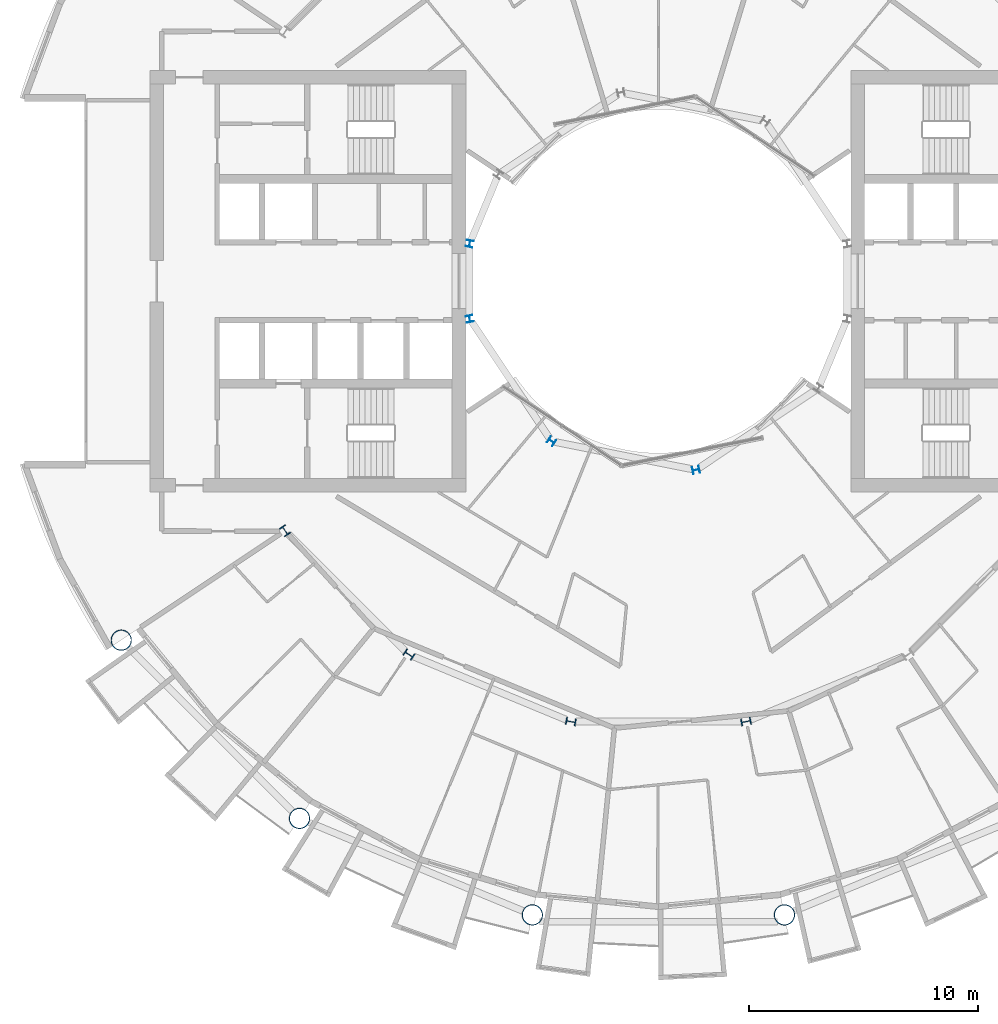
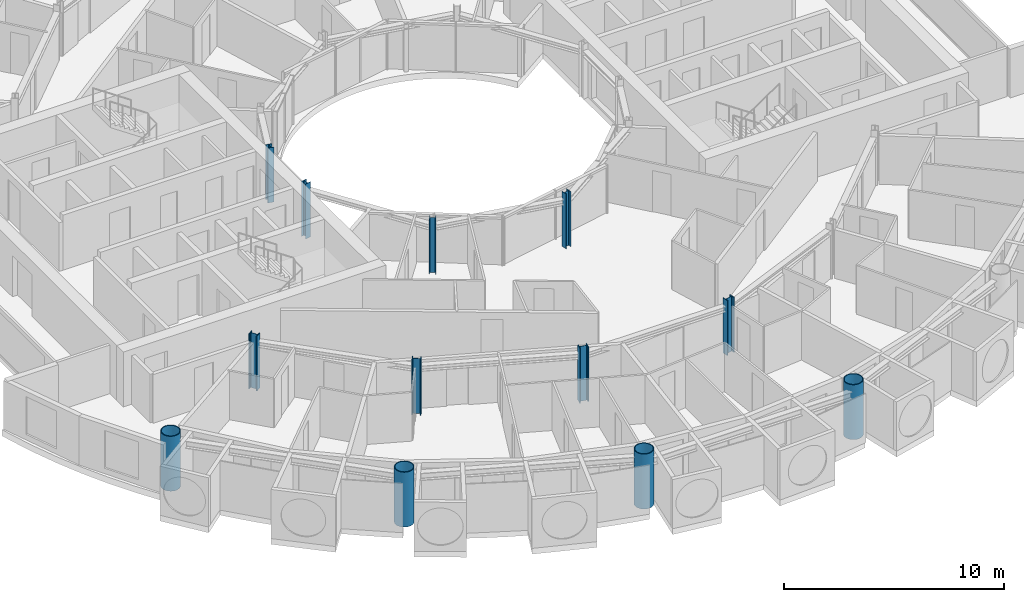
# One storey, part 1 of 27: 12 columns.
"""IFC4 building model written with IfcOpenShell, lengths in metres."""

from ifc_helpers import new_model, si_unit, direction, frame, origin, origin_2d, place, context, subcontext, project, spatial, hollow_circle, i_section, extrude, material, material_profile, profile_set, type_object, element, save


model = new_model("IFC4")

# Units and contexts
model_context = context("Model", 3, precision=1e-05, world=origin(), true_north=direction((0.0, 1.0)))
body_context = subcontext(model_context, "Body", "Model", "MODEL_VIEW")
ifc_project = project(units=[si_unit("LENGTHUNIT", "METRE"), si_unit("AREAUNIT", "SQUARE_METRE"), si_unit("VOLUMEUNIT", "CUBIC_METRE"), si_unit("PLANEANGLEUNIT", "RADIAN"), si_unit("MASSUNIT", "GRAM", prefix="KILO")], contexts=[model_context])

# Site, building, storey
site_placement = place(None, origin())
site = spatial("IfcSite", under=ifc_project, at=site_placement, CompositionType="ELEMENT")
building_placement = place(site_placement, origin())
building = spatial("IfcBuilding", under=site, at=building_placement, Name="Maasbend Ring Residences", CompositionType="ELEMENT")
storey_placement = place(building_placement, frame((0.0, 0.0, 117.75)))
storey = spatial("IfcBuildingStorey", under=building, at=storey_placement, Name="L33", CompositionType="ELEMENT", Elevation=117.75)

# Columns
ifc_material_1 = material(Name="Composite concrete-filled steel tube S460NH / C80/95", Category="concrete")
ifc_material_profile_1 = material_profile(ifc_material_1, hollow_circle(Radius=0.45703125, WallThickness=0.0400390625, at=origin_2d()), Name="Composite tube column CHS 914x40")
ifc_profile_set_1 = profile_set([ifc_material_profile_1], Name="Composite concrete-filled steel tube S460NH / C80/95")
column_type_1 = type_object("IfcColumnType", Name="Composite tube column CHS 914x40", PredefinedType="COLUMN", material=ifc_profile_set_1)
for number, where, z_axis, x_axis, name in (
    (1, (-23.447509765625, -15.6669921875, 0.0), (0.0, 0.0, 1.0), (1.0, 0.0, 0.0), "Outer column R10"),
    (2, (-15.6669921875, -23.447509765625, 0.0), (0.0, 0.0, 1.0), (1.0, 0.0, 0.0), "Outer column R11"),
    (3, (-5.50146484375, -27.658203125, 0.0), (0.0, 0.0, 1.0), (1.0, 0.0, 0.0), "Outer column R12"),
    (4, (5.50146484375, -27.658203125, 0.0), (0.0, 0.0, 1.0), (1.0, 0.0, 0.0), "Outer column R13"),
):
    element("IfcColumn", number, at=place(storey_placement, frame(where, z_axis=z_axis, x_axis=x_axis)), inside=storey, type_object=column_type_1, Name=name, PredefinedType="COLUMN", context=body_context, shape_type="SweptSolid", body=[
        extrude(hollow_circle(Radius=0.45703125, WallThickness=0.0400390625, at=origin_2d()), origin(), (0.0, 0.0, 1.0), 3.050048828125),
    ])
ifc_material_2 = material(Name="Steel S355J2", Category="steel")
ifc_material_profile_2 = material_profile(ifc_material_2, i_section(OverallWidth=0.300048828125, OverallDepth=0.300048828125, WebThickness=0.010986328125, FlangeThickness=0.01904296875, FilletRadius=0.027099609375, at=origin_2d()), Name="HEB 300")
ifc_profile_set_2 = profile_set([ifc_material_profile_2], Name="Steel S355J2")
column_type_2 = type_object("IfcColumnType", Name="Steel column HEB 300", PredefinedType="COLUMN", material=ifc_profile_set_2)
for number, where, z_axis, x_axis, name in (
    (5, (-8.238525390625, 1.638916015625, 0.0), (0.0, 0.0, 1.0), (-0.980785280403, 0.195090322016, 0.0), "Well ring column R8"),
    (6, (-8.238525390625, -1.638916015625, 0.0), (0.0, 0.0, 1.0), (-0.980785280403, -0.195090322016, 0.0), "Well ring column R9"),
    (7, (-4.666748046875, -6.984375, 0.0), (0.0, 0.0, 1.0), (-0.55557023302, -0.831469612303, 0.0), "Well ring column R11"),
    (8, (1.638916015625, -8.238525390625, 0.0), (0.0, 0.0, 1.0), (0.195090322016, -0.980785280403, 0.0), "Well ring column R13"),
):
    element("IfcColumn", number, at=place(storey_placement, frame(where, z_axis=z_axis, x_axis=x_axis)), inside=storey, type_object=column_type_2, Name=name, PredefinedType="COLUMN", context=body_context, shape_type="SweptSolid", body=[
        extrude(i_section(OverallWidth=0.300048828125, OverallDepth=0.300048828125, WebThickness=0.010986328125, FlangeThickness=0.01904296875, FilletRadius=0.027099609375, at=origin_2d()), origin(), (0.0, 0.0, 1.0), 3.050048828125),
    ])
ifc_material_3 = material(Name="Steel S460M", Category="steel")
ifc_material_profile_3 = material_profile(ifc_material_3, i_section(OverallWidth=0.306884765625, OverallDepth=0.431884765625, WebThickness=0.02099609375, FlangeThickness=0.0400390625, FilletRadius=0.027099609375, at=origin_2d()), Name="HEM 400")
ifc_profile_set_3 = profile_set([ifc_material_profile_3], Name="Steel S460M")
column_type_3 = type_object("IfcColumnType", Name="Steel column HEM 400", PredefinedType="COLUMN", material=ifc_profile_set_3)
for number, where, z_axis, x_axis, name in (
    (9, (-16.296875, -10.88916015625, 0.0), (0.0, 0.0, 1.0), (-0.831469612303, -0.55557023302, 0.0), "Corridor ring column R10"),
    (10, (-10.88916015625, -16.296875, 0.0), (0.0, 0.0, 1.0), (-0.55557023302, -0.831469612303, 0.0), "Corridor ring column R11"),
    (11, (-3.82373046875, -19.223388671875, 0.0), (0.0, 0.0, 1.0), (-0.195090322016, -0.980785280403, 0.0), "Corridor ring column R12"),
    (12, (3.82373046875, -19.223388671875, 0.0), (0.0, 0.0, 1.0), (0.195090322016, -0.980785280403, 0.0), "Corridor ring column R13"),
):
    element("IfcColumn", number, at=place(storey_placement, frame(where, z_axis=z_axis, x_axis=x_axis)), inside=storey, type_object=column_type_3, Name=name, PredefinedType="COLUMN", context=body_context, shape_type="SweptSolid", body=[
        extrude(i_section(OverallWidth=0.306884765625, OverallDepth=0.431884765625, WebThickness=0.02099609375, FlangeThickness=0.0400390625, FilletRadius=0.027099609375, at=origin_2d()), origin(), (0.0, 0.0, 1.0), 3.050048828125),
    ])

save(model, "model.ifc")
